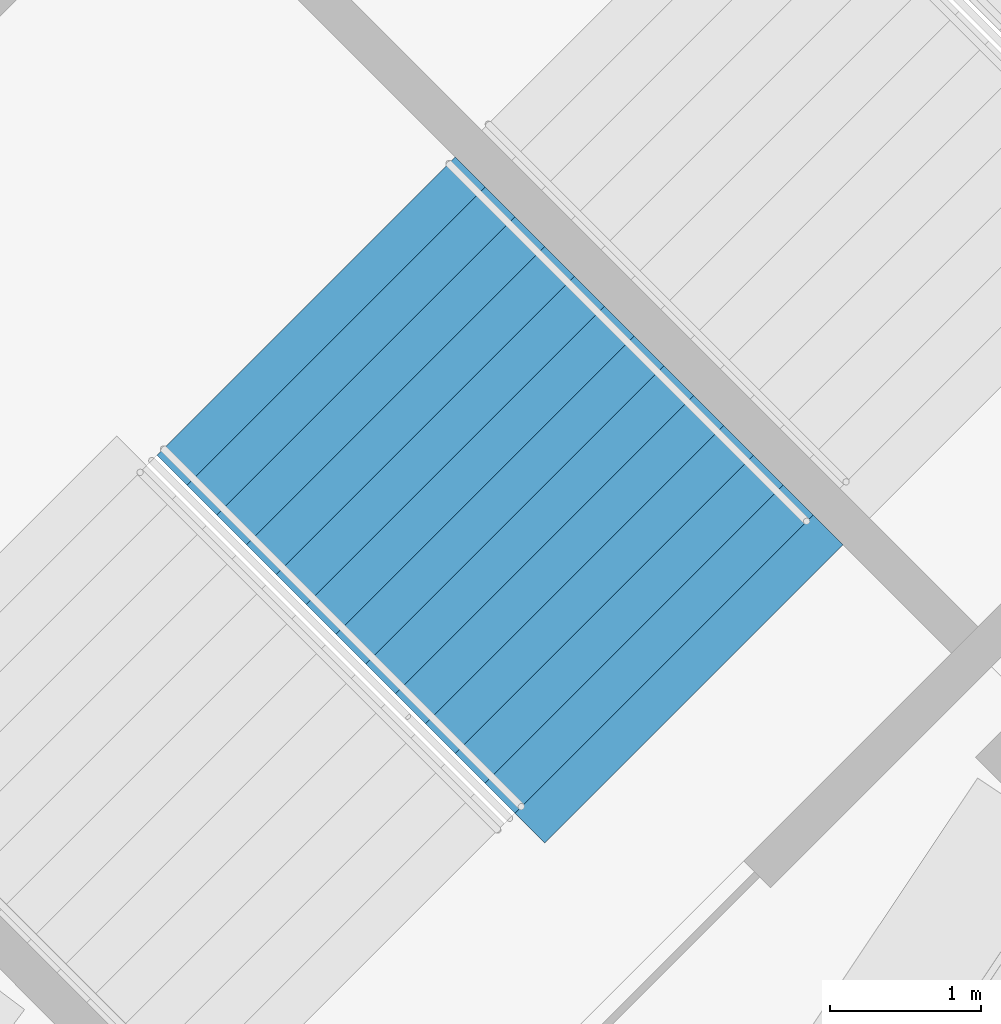
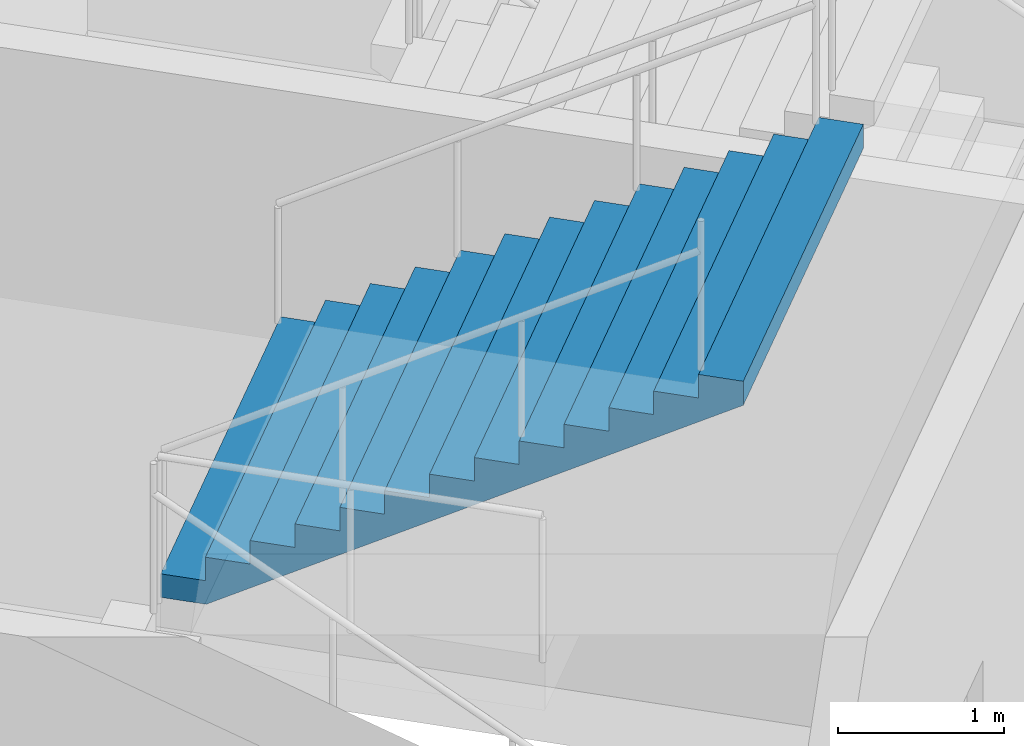
# One storey, part 137 of 177: 1 stair flight, 1 element without a shape of its own.
"""IFC4 building model written with IfcOpenShell, lengths in metres."""

from ifc_helpers import new_model, si_unit, direction, frame, origin, place, context, subcontext, project, spatial, faceted_brep, material, type_object, element, aggregate, save


model = new_model("IFC4")

# Units and contexts
model_context = context("Model", 3, precision=1e-05, world=origin(), true_north=direction((0.0, 1.0)))
body_context = subcontext(model_context, "Body", "Model", "MODEL_VIEW")
ifc_project = project(units=[si_unit("LENGTHUNIT", "METRE"), si_unit("AREAUNIT", "SQUARE_METRE"), si_unit("VOLUMEUNIT", "CUBIC_METRE"), si_unit("PLANEANGLEUNIT", "RADIAN"), si_unit("MASSUNIT", "GRAM", prefix="KILO")], contexts=[model_context])

# Site, building, storey
site_placement = place(None, origin())
site = spatial("IfcSite", under=ifc_project, at=site_placement, CompositionType="ELEMENT")
building_placement = place(site_placement, origin())
building = spatial("IfcBuilding", under=site, at=building_placement, Name="Ogive Plaza Stadium", CompositionType="ELEMENT")
storey_placement = place(building_placement, frame((0.0, 0.0, 18.0)))
storey = spatial("IfcBuildingStorey", under=building, at=storey_placement, Name="L04", CompositionType="ELEMENT", Elevation=18.0)

# Stair, stair flight
ifc_material_1 = material(Name="Concrete C40/50", Category="concrete")
stair_type = type_object("IfcStairType", Name="Exit stair", PredefinedType="STRAIGHT_RUN_STAIR", material=ifc_material_1)
stair_placement = place(storey_placement, origin())
stair = element("IfcStair", 1, at=stair_placement, inside=storey, type_object=stair_type, Name="Exit stair ST30B L04 to L05", PredefinedType="STRAIGHT_RUN_STAIR")
ifc_material_2 = material(Name="Concrete C40/50", Category="concrete")
stair_flight_type = type_object("IfcStairFlightType", Name="Exit stair flight", PredefinedType="STRAIGHT", material=ifc_material_2)
stair_flight_placement = place(storey_placement, frame((-67.400146484375, 83.743408203125, 2.25), z_axis=(0.0, 0.0, 1.0), x_axis=(0.707106781187, -0.707106781187, 0.0)))
stair_flight = element("IfcStairFlight", 2, at=stair_flight_placement, type_object=stair_flight_type, Name="ST30B flight 2", NumberOfRisers=13, NumberOfTreads=12, PredefinedType="STRAIGHT", RiserHeight=0.173076923, TreadLength=0.28, context=body_context, shape_type="Brep", body=[
    faceted_brep([(0.28515625, -1.39990234375, 0.0), (3.639892578125, -1.39990234375, 2.07373046875), (3.639892578125, -1.39990234375, 2.25), (3.360107421875, -1.39990234375, 2.25), (3.360107421875, -1.39990234375, 2.076904296875), (3.080078125, -1.39990234375, 2.076904296875), (3.080078125, -1.39990234375, 1.90380859375), (2.800048828125, -1.39990234375, 1.90380859375), (2.800048828125, -1.39990234375, 1.730712890625), (2.52001953125, -1.39990234375, 1.730712890625), (2.52001953125, -1.39990234375, 1.5576171875), (2.239990234375, -1.39990234375, 1.5576171875), (2.239990234375, -1.39990234375, 1.384521484375), (1.9599609375, -1.39990234375, 1.384521484375), (1.9599609375, -1.39990234375, 1.21142578125), (1.679931640625, -1.39990234375, 1.21142578125), (1.679931640625, -1.39990234375, 1.03857421875), (1.39990234375, -1.39990234375, 1.03857421875), (1.39990234375, -1.39990234375, 0.865478515625), (1.1201171875, -1.39990234375, 0.865478515625), (1.1201171875, -1.39990234375, 0.6923828125), (0.840087890625, -1.39990234375, 0.6923828125), (0.840087890625, -1.39990234375, 0.519287109375), (0.56005859375, -1.39990234375, 0.519287109375), (0.56005859375, -1.39990234375, 0.34619140625), (0.280029296875, -1.39990234375, 0.34619140625), (0.280029296875, -1.39990234375, 0.173095703125), (0.0, -1.39990234375, 0.173095703125), (0.0, -1.39990234375, 0.0), (0.0, 1.39990234375, 0.0), (0.0, 1.39990234375, 0.173095703125), (0.280029296875, 1.39990234375, 0.173095703125), (0.280029296875, 1.39990234375, 0.34619140625), (0.56005859375, 1.39990234375, 0.34619140625), (0.56005859375, 1.39990234375, 0.519287109375), (0.840087890625, 1.39990234375, 0.519287109375), (0.840087890625, 1.39990234375, 0.6923828125), (1.1201171875, 1.39990234375, 0.6923828125), (1.1201171875, 1.39990234375, 0.865478515625), (1.39990234375, 1.39990234375, 0.865478515625), (1.39990234375, 1.39990234375, 1.03857421875), (1.679931640625, 1.39990234375, 1.03857421875), (1.679931640625, 1.39990234375, 1.21142578125), (1.9599609375, 1.39990234375, 1.21142578125), (1.9599609375, 1.39990234375, 1.384521484375), (2.239990234375, 1.39990234375, 1.384521484375), (2.239990234375, 1.39990234375, 1.5576171875), (2.52001953125, 1.39990234375, 1.5576171875), (2.52001953125, 1.39990234375, 1.730712890625), (2.800048828125, 1.39990234375, 1.730712890625), (2.800048828125, 1.39990234375, 1.90380859375), (3.080078125, 1.39990234375, 1.90380859375), (3.080078125, 1.39990234375, 2.076904296875), (3.360107421875, 1.39990234375, 2.076904296875), (3.360107421875, 1.39990234375, 2.25), (3.639892578125, 1.39990234375, 2.25), (3.639892578125, 1.39990234375, 2.07373046875), (0.28515625, 1.39990234375, 0.0), (0.28515625, -1.0888671875, 0.0), (3.639892578125, -1.0888671875, 2.07373046875), (0.28515625, -0.77783203125, 0.0), (3.639892578125, -0.77783203125, 2.07373046875), (0.28515625, -0.466796875, 0.0), (3.639892578125, -0.466796875, 2.07373046875), (0.28515625, -0.155517578125, 0.0), (3.639892578125, -0.155517578125, 2.07373046875), (0.28515625, 0.155517578125, 0.0), (3.639892578125, 0.155517578125, 2.07373046875), (0.28515625, 0.466796875, 0.0), (3.639892578125, 0.466796875, 2.07373046875), (0.28515625, 0.77783203125, 0.0), (3.639892578125, 0.77783203125, 2.07373046875), (0.28515625, 1.0888671875, 0.0), (3.639892578125, 1.0888671875, 2.07373046875), (3.639892578125, -1.0888671875, 2.25), (3.639892578125, -0.77783203125, 2.25), (3.639892578125, -0.466796875, 2.25), (3.639892578125, -0.155517578125, 2.25), (3.639892578125, 0.155517578125, 2.25), (3.639892578125, 0.466796875, 2.25), (3.639892578125, 0.77783203125, 2.25), (3.639892578125, 1.0888671875, 2.25), (3.360107421875, -1.0888671875, 2.25), (3.360107421875, -0.77783203125, 2.25), (3.360107421875, -0.466796875, 2.25), (3.360107421875, -0.155517578125, 2.25), (3.360107421875, 0.155517578125, 2.25), (3.360107421875, 0.466796875, 2.25), (3.360107421875, 0.77783203125, 2.25), (3.360107421875, 1.0888671875, 2.25), (3.360107421875, -1.0888671875, 2.076904296875), (3.360107421875, -0.77783203125, 2.076904296875), (3.360107421875, -0.466796875, 2.076904296875), (3.360107421875, -0.155517578125, 2.076904296875), (3.360107421875, 0.155517578125, 2.076904296875), (3.360107421875, 0.466796875, 2.076904296875), (3.360107421875, 0.77783203125, 2.076904296875), (3.360107421875, 1.0888671875, 2.076904296875), (3.080078125, -1.0888671875, 2.076904296875), (3.080078125, -0.77783203125, 2.076904296875), (3.080078125, -0.466796875, 2.076904296875), (3.080078125, -0.155517578125, 2.076904296875), (3.080078125, 0.155517578125, 2.076904296875), (3.080078125, 0.466796875, 2.076904296875), (3.080078125, 0.77783203125, 2.076904296875), (3.080078125, 1.0888671875, 2.076904296875), (3.080078125, -1.0888671875, 1.90380859375), (3.080078125, -0.77783203125, 1.90380859375), (3.080078125, -0.466796875, 1.90380859375), (3.080078125, -0.155517578125, 1.90380859375), (3.080078125, 0.155517578125, 1.90380859375), (3.080078125, 0.466796875, 1.90380859375), (3.080078125, 0.77783203125, 1.90380859375), (3.080078125, 1.0888671875, 1.90380859375), (2.800048828125, -1.0888671875, 1.90380859375), (2.800048828125, -0.77783203125, 1.90380859375), (2.800048828125, -0.466796875, 1.90380859375), (2.800048828125, -0.155517578125, 1.90380859375), (2.800048828125, 0.155517578125, 1.90380859375), (2.800048828125, 0.466796875, 1.90380859375), (2.800048828125, 0.77783203125, 1.90380859375), (2.800048828125, 1.0888671875, 1.90380859375), (2.800048828125, -1.0888671875, 1.730712890625), (2.800048828125, -0.77783203125, 1.730712890625), (2.800048828125, -0.466796875, 1.730712890625), (2.800048828125, -0.155517578125, 1.730712890625), (2.800048828125, 0.155517578125, 1.730712890625), (2.800048828125, 0.466796875, 1.730712890625), (2.800048828125, 0.77783203125, 1.730712890625), (2.800048828125, 1.0888671875, 1.730712890625), (2.52001953125, -1.0888671875, 1.730712890625), (2.52001953125, -0.77783203125, 1.730712890625), (2.52001953125, -0.466796875, 1.730712890625), (2.52001953125, -0.155517578125, 1.730712890625), (2.52001953125, 0.155517578125, 1.730712890625), (2.52001953125, 0.466796875, 1.730712890625), (2.52001953125, 0.77783203125, 1.730712890625), (2.52001953125, 1.0888671875, 1.730712890625), (2.52001953125, -1.0888671875, 1.5576171875), (2.52001953125, -0.77783203125, 1.5576171875), (2.52001953125, -0.466796875, 1.5576171875), (2.52001953125, -0.155517578125, 1.5576171875), (2.52001953125, 0.155517578125, 1.5576171875), (2.52001953125, 0.466796875, 1.5576171875), (2.52001953125, 0.77783203125, 1.5576171875), (2.52001953125, 1.0888671875, 1.5576171875), (2.239990234375, -1.0888671875, 1.5576171875), (2.239990234375, -0.77783203125, 1.5576171875), (2.239990234375, -0.466796875, 1.5576171875), (2.239990234375, -0.155517578125, 1.5576171875), (2.239990234375, 0.155517578125, 1.5576171875), (2.239990234375, 0.466796875, 1.5576171875), (2.239990234375, 0.77783203125, 1.5576171875), (2.239990234375, 1.0888671875, 1.5576171875), (2.239990234375, -1.0888671875, 1.384521484375), (2.239990234375, -0.77783203125, 1.384521484375), (2.239990234375, -0.466796875, 1.384521484375), (2.239990234375, -0.155517578125, 1.384521484375), (2.239990234375, 0.155517578125, 1.384521484375), (2.239990234375, 0.466796875, 1.384521484375), (2.239990234375, 0.77783203125, 1.384521484375), (2.239990234375, 1.0888671875, 1.384521484375), (1.9599609375, -1.0888671875, 1.384521484375), (1.9599609375, -0.77783203125, 1.384521484375), (1.9599609375, -0.466796875, 1.384521484375), (1.9599609375, -0.155517578125, 1.384521484375), (1.9599609375, 0.155517578125, 1.384521484375), (1.9599609375, 0.466796875, 1.384521484375), (1.9599609375, 0.77783203125, 1.384521484375), (1.9599609375, 1.0888671875, 1.384521484375), (1.9599609375, -1.0888671875, 1.21142578125), (1.9599609375, -0.77783203125, 1.21142578125), (1.9599609375, -0.466796875, 1.21142578125), (1.9599609375, -0.155517578125, 1.21142578125), (1.9599609375, 0.155517578125, 1.21142578125), (1.9599609375, 0.466796875, 1.21142578125), (1.9599609375, 0.77783203125, 1.21142578125), (1.9599609375, 1.0888671875, 1.21142578125), (1.679931640625, -1.0888671875, 1.21142578125), (1.679931640625, -0.77783203125, 1.21142578125), (1.679931640625, -0.466796875, 1.21142578125), (1.679931640625, -0.155517578125, 1.21142578125), (1.679931640625, 0.155517578125, 1.21142578125), (1.679931640625, 0.466796875, 1.21142578125), (1.679931640625, 0.77783203125, 1.21142578125), (1.679931640625, 1.0888671875, 1.21142578125), (1.679931640625, -1.0888671875, 1.03857421875), (1.679931640625, -0.77783203125, 1.03857421875), (1.679931640625, -0.466796875, 1.03857421875), (1.679931640625, -0.155517578125, 1.03857421875), (1.679931640625, 0.155517578125, 1.03857421875), (1.679931640625, 0.466796875, 1.03857421875), (1.679931640625, 0.77783203125, 1.03857421875), (1.679931640625, 1.0888671875, 1.03857421875), (1.39990234375, -1.0888671875, 1.03857421875), (1.39990234375, -0.77783203125, 1.03857421875), (1.39990234375, -0.466796875, 1.03857421875), (1.39990234375, -0.155517578125, 1.03857421875), (1.39990234375, 0.155517578125, 1.03857421875), (1.39990234375, 0.466796875, 1.03857421875), (1.39990234375, 0.77783203125, 1.03857421875), (1.39990234375, 1.0888671875, 1.03857421875), (1.39990234375, -1.0888671875, 0.865478515625), (1.39990234375, -0.77783203125, 0.865478515625), (1.39990234375, -0.466796875, 0.865478515625), (1.39990234375, -0.155517578125, 0.865478515625), (1.39990234375, 0.155517578125, 0.865478515625), (1.39990234375, 0.466796875, 0.865478515625), (1.39990234375, 0.77783203125, 0.865478515625), (1.39990234375, 1.0888671875, 0.865478515625), (1.1201171875, -1.0888671875, 0.865478515625), (1.1201171875, -0.77783203125, 0.865478515625), (1.1201171875, -0.466796875, 0.865478515625), (1.1201171875, -0.155517578125, 0.865478515625), (1.1201171875, 0.155517578125, 0.865478515625), (1.1201171875, 0.466796875, 0.865478515625), (1.1201171875, 0.77783203125, 0.865478515625), (1.1201171875, 1.0888671875, 0.865478515625), (1.1201171875, -1.0888671875, 0.6923828125), (1.1201171875, -0.77783203125, 0.6923828125), (1.1201171875, -0.466796875, 0.6923828125), (1.1201171875, -0.155517578125, 0.6923828125), (1.1201171875, 0.155517578125, 0.6923828125), (1.1201171875, 0.466796875, 0.6923828125), (1.1201171875, 0.77783203125, 0.6923828125), (1.1201171875, 1.0888671875, 0.6923828125), (0.840087890625, -1.0888671875, 0.6923828125), (0.840087890625, -0.77783203125, 0.6923828125), (0.840087890625, -0.466796875, 0.6923828125), (0.840087890625, -0.155517578125, 0.6923828125), (0.840087890625, 0.155517578125, 0.6923828125), (0.840087890625, 0.466796875, 0.6923828125), (0.840087890625, 0.77783203125, 0.6923828125), (0.840087890625, 1.0888671875, 0.6923828125), (0.840087890625, -1.0888671875, 0.519287109375), (0.840087890625, -0.77783203125, 0.519287109375), (0.840087890625, -0.466796875, 0.519287109375), (0.840087890625, -0.155517578125, 0.519287109375), (0.840087890625, 0.155517578125, 0.519287109375), (0.840087890625, 0.466796875, 0.519287109375), (0.840087890625, 0.77783203125, 0.519287109375), (0.840087890625, 1.0888671875, 0.519287109375), (0.56005859375, -1.0888671875, 0.519287109375), (0.56005859375, -0.77783203125, 0.519287109375), (0.56005859375, -0.466796875, 0.519287109375), (0.56005859375, -0.155517578125, 0.519287109375), (0.56005859375, 0.155517578125, 0.519287109375), (0.56005859375, 0.466796875, 0.519287109375), (0.56005859375, 0.77783203125, 0.519287109375), (0.56005859375, 1.0888671875, 0.519287109375), (0.56005859375, -1.0888671875, 0.34619140625), (0.56005859375, -0.77783203125, 0.34619140625), (0.56005859375, -0.466796875, 0.34619140625), (0.56005859375, -0.155517578125, 0.34619140625), (0.56005859375, 0.155517578125, 0.34619140625), (0.56005859375, 0.466796875, 0.34619140625), (0.56005859375, 0.77783203125, 0.34619140625), (0.56005859375, 1.0888671875, 0.34619140625), (0.280029296875, -1.0888671875, 0.34619140625), (0.280029296875, -0.77783203125, 0.34619140625), (0.280029296875, -0.466796875, 0.34619140625), (0.280029296875, -0.155517578125, 0.34619140625), (0.280029296875, 0.155517578125, 0.34619140625), (0.280029296875, 0.466796875, 0.34619140625), (0.280029296875, 0.77783203125, 0.34619140625), (0.280029296875, 1.0888671875, 0.34619140625), (0.280029296875, -1.0888671875, 0.173095703125), (0.280029296875, -0.77783203125, 0.173095703125), (0.280029296875, -0.466796875, 0.173095703125), (0.280029296875, -0.155517578125, 0.173095703125), (0.280029296875, 0.155517578125, 0.173095703125), (0.280029296875, 0.466796875, 0.173095703125), (0.280029296875, 0.77783203125, 0.173095703125), (0.280029296875, 1.0888671875, 0.173095703125), (0.0, -1.0888671875, 0.173095703125), (0.0, -0.77783203125, 0.173095703125), (0.0, -0.466796875, 0.173095703125), (0.0, -0.155517578125, 0.173095703125), (0.0, 0.155517578125, 0.173095703125), (0.0, 0.466796875, 0.173095703125), (0.0, 0.77783203125, 0.173095703125), (0.0, 1.0888671875, 0.173095703125), (0.0, -1.0888671875, 0.0), (0.0, -0.77783203125, 0.0), (0.0, -0.466796875, 0.0), (0.0, -0.155517578125, 0.0), (0.0, 0.155517578125, 0.0), (0.0, 0.466796875, 0.0), (0.0, 0.77783203125, 0.0), (0.0, 1.0888671875, 0.0)], [[[0, 1, 2, 3, 4, 5, 6, 7, 8, 9, 10, 11, 12, 13, 14, 15, 16, 17, 18, 19, 20, 21, 22, 23, 24, 25, 26, 27, 28]], [[29, 30, 31, 32, 33, 34, 35, 36, 37, 38, 39, 40, 41, 42, 43, 44, 45, 46, 47, 48, 49, 50, 51, 52, 53, 54, 55, 56, 57]], [[0, 58, 59, 1]], [[58, 60, 61, 59]], [[60, 62, 63, 61]], [[62, 64, 65, 63]], [[64, 66, 67, 65]], [[66, 68, 69, 67]], [[68, 70, 71, 69]], [[70, 72, 73, 71]], [[72, 57, 56, 73]], [[1, 59, 74, 2]], [[59, 61, 75, 74]], [[61, 63, 76, 75]], [[63, 65, 77, 76]], [[65, 67, 78, 77]], [[67, 69, 79, 78]], [[69, 71, 80, 79]], [[71, 73, 81, 80]], [[73, 56, 55, 81]], [[2, 74, 82, 3]], [[74, 75, 83, 82]], [[75, 76, 84, 83]], [[76, 77, 85, 84]], [[77, 78, 86, 85]], [[78, 79, 87, 86]], [[79, 80, 88, 87]], [[80, 81, 89, 88]], [[81, 55, 54, 89]], [[3, 82, 90, 4]], [[82, 83, 91, 90]], [[83, 84, 92, 91]], [[84, 85, 93, 92]], [[85, 86, 94, 93]], [[86, 87, 95, 94]], [[87, 88, 96, 95]], [[88, 89, 97, 96]], [[89, 54, 53, 97]], [[4, 90, 98, 5]], [[90, 91, 99, 98]], [[91, 92, 100, 99]], [[92, 93, 101, 100]], [[93, 94, 102, 101]], [[94, 95, 103, 102]], [[95, 96, 104, 103]], [[96, 97, 105, 104]], [[97, 53, 52, 105]], [[5, 98, 106, 6]], [[98, 99, 107, 106]], [[99, 100, 108, 107]], [[100, 101, 109, 108]], [[101, 102, 110, 109]], [[102, 103, 111, 110]], [[103, 104, 112, 111]], [[104, 105, 113, 112]], [[105, 52, 51, 113]], [[6, 106, 114, 7]], [[106, 107, 115, 114]], [[107, 108, 116, 115]], [[108, 109, 117, 116]], [[109, 110, 118, 117]], [[110, 111, 119, 118]], [[111, 112, 120, 119]], [[112, 113, 121, 120]], [[113, 51, 50, 121]], [[7, 114, 122, 8]], [[114, 115, 123, 122]], [[115, 116, 124, 123]], [[116, 117, 125, 124]], [[117, 118, 126, 125]], [[118, 119, 127, 126]], [[119, 120, 128, 127]], [[120, 121, 129, 128]], [[121, 50, 49, 129]], [[8, 122, 130, 9]], [[122, 123, 131, 130]], [[123, 124, 132, 131]], [[124, 125, 133, 132]], [[125, 126, 134, 133]], [[126, 127, 135, 134]], [[127, 128, 136, 135]], [[128, 129, 137, 136]], [[129, 49, 48, 137]], [[9, 130, 138, 10]], [[130, 131, 139, 138]], [[131, 132, 140, 139]], [[132, 133, 141, 140]], [[133, 134, 142, 141]], [[134, 135, 143, 142]], [[135, 136, 144, 143]], [[136, 137, 145, 144]], [[137, 48, 47, 145]], [[10, 138, 146, 11]], [[138, 139, 147, 146]], [[139, 140, 148, 147]], [[140, 141, 149, 148]], [[141, 142, 150, 149]], [[142, 143, 151, 150]], [[143, 144, 152, 151]], [[144, 145, 153, 152]], [[145, 47, 46, 153]], [[11, 146, 154, 12]], [[146, 147, 155, 154]], [[147, 148, 156, 155]], [[148, 149, 157, 156]], [[149, 150, 158, 157]], [[150, 151, 159, 158]], [[151, 152, 160, 159]], [[152, 153, 161, 160]], [[153, 46, 45, 161]], [[12, 154, 162, 13]], [[154, 155, 163, 162]], [[155, 156, 164, 163]], [[156, 157, 165, 164]], [[157, 158, 166, 165]], [[158, 159, 167, 166]], [[159, 160, 168, 167]], [[160, 161, 169, 168]], [[161, 45, 44, 169]], [[13, 162, 170, 14]], [[162, 163, 171, 170]], [[163, 164, 172, 171]], [[164, 165, 173, 172]], [[165, 166, 174, 173]], [[166, 167, 175, 174]], [[167, 168, 176, 175]], [[168, 169, 177, 176]], [[169, 44, 43, 177]], [[14, 170, 178, 15]], [[170, 171, 179, 178]], [[171, 172, 180, 179]], [[172, 173, 181, 180]], [[173, 174, 182, 181]], [[174, 175, 183, 182]], [[175, 176, 184, 183]], [[176, 177, 185, 184]], [[177, 43, 42, 185]], [[15, 178, 186, 16]], [[178, 179, 187, 186]], [[179, 180, 188, 187]], [[180, 181, 189, 188]], [[181, 182, 190, 189]], [[182, 183, 191, 190]], [[183, 184, 192, 191]], [[184, 185, 193, 192]], [[185, 42, 41, 193]], [[16, 186, 194, 17]], [[186, 187, 195, 194]], [[187, 188, 196, 195]], [[188, 189, 197, 196]], [[189, 190, 198, 197]], [[190, 191, 199, 198]], [[191, 192, 200, 199]], [[192, 193, 201, 200]], [[193, 41, 40, 201]], [[17, 194, 202, 18]], [[194, 195, 203, 202]], [[195, 196, 204, 203]], [[196, 197, 205, 204]], [[197, 198, 206, 205]], [[198, 199, 207, 206]], [[199, 200, 208, 207]], [[200, 201, 209, 208]], [[201, 40, 39, 209]], [[18, 202, 210, 19]], [[202, 203, 211, 210]], [[203, 204, 212, 211]], [[204, 205, 213, 212]], [[205, 206, 214, 213]], [[206, 207, 215, 214]], [[207, 208, 216, 215]], [[208, 209, 217, 216]], [[209, 39, 38, 217]], [[19, 210, 218, 20]], [[210, 211, 219, 218]], [[211, 212, 220, 219]], [[212, 213, 221, 220]], [[213, 214, 222, 221]], [[214, 215, 223, 222]], [[215, 216, 224, 223]], [[216, 217, 225, 224]], [[217, 38, 37, 225]], [[20, 218, 226, 21]], [[218, 219, 227, 226]], [[219, 220, 228, 227]], [[220, 221, 229, 228]], [[221, 222, 230, 229]], [[222, 223, 231, 230]], [[223, 224, 232, 231]], [[224, 225, 233, 232]], [[225, 37, 36, 233]], [[21, 226, 234, 22]], [[226, 227, 235, 234]], [[227, 228, 236, 235]], [[228, 229, 237, 236]], [[229, 230, 238, 237]], [[230, 231, 239, 238]], [[231, 232, 240, 239]], [[232, 233, 241, 240]], [[233, 36, 35, 241]], [[22, 234, 242, 23]], [[234, 235, 243, 242]], [[235, 236, 244, 243]], [[236, 237, 245, 244]], [[237, 238, 246, 245]], [[238, 239, 247, 246]], [[239, 240, 248, 247]], [[240, 241, 249, 248]], [[241, 35, 34, 249]], [[23, 242, 250, 24]], [[242, 243, 251, 250]], [[243, 244, 252, 251]], [[244, 245, 253, 252]], [[245, 246, 254, 253]], [[246, 247, 255, 254]], [[247, 248, 256, 255]], [[248, 249, 257, 256]], [[249, 34, 33, 257]], [[24, 250, 258, 25]], [[250, 251, 259, 258]], [[251, 252, 260, 259]], [[252, 253, 261, 260]], [[253, 254, 262, 261]], [[254, 255, 263, 262]], [[255, 256, 264, 263]], [[256, 257, 265, 264]], [[257, 33, 32, 265]], [[25, 258, 266, 26]], [[258, 259, 267, 266]], [[259, 260, 268, 267]], [[260, 261, 269, 268]], [[261, 262, 270, 269]], [[262, 263, 271, 270]], [[263, 264, 272, 271]], [[264, 265, 273, 272]], [[265, 32, 31, 273]], [[26, 266, 274, 27]], [[266, 267, 275, 274]], [[267, 268, 276, 275]], [[268, 269, 277, 276]], [[269, 270, 278, 277]], [[270, 271, 279, 278]], [[271, 272, 280, 279]], [[272, 273, 281, 280]], [[273, 31, 30, 281]], [[27, 274, 282, 28]], [[274, 275, 283, 282]], [[275, 276, 284, 283]], [[276, 277, 285, 284]], [[277, 278, 286, 285]], [[278, 279, 287, 286]], [[279, 280, 288, 287]], [[280, 281, 289, 288]], [[281, 30, 29, 289]], [[28, 282, 58, 0]], [[282, 283, 60, 58]], [[283, 284, 62, 60]], [[284, 285, 64, 62]], [[285, 286, 66, 64]], [[286, 287, 68, 66]], [[287, 288, 70, 68]], [[288, 289, 72, 70]], [[289, 29, 57, 72]]]),
])
aggregate(stair, [stair_flight])

save(model, "model.ifc")
